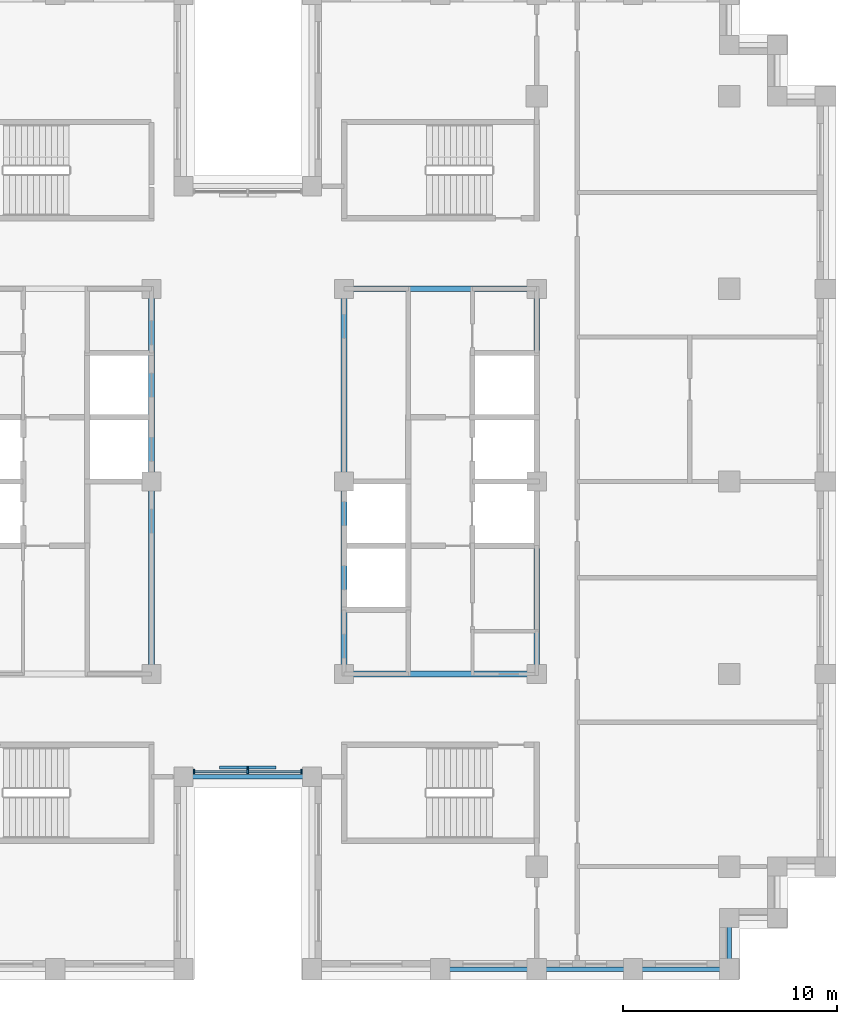
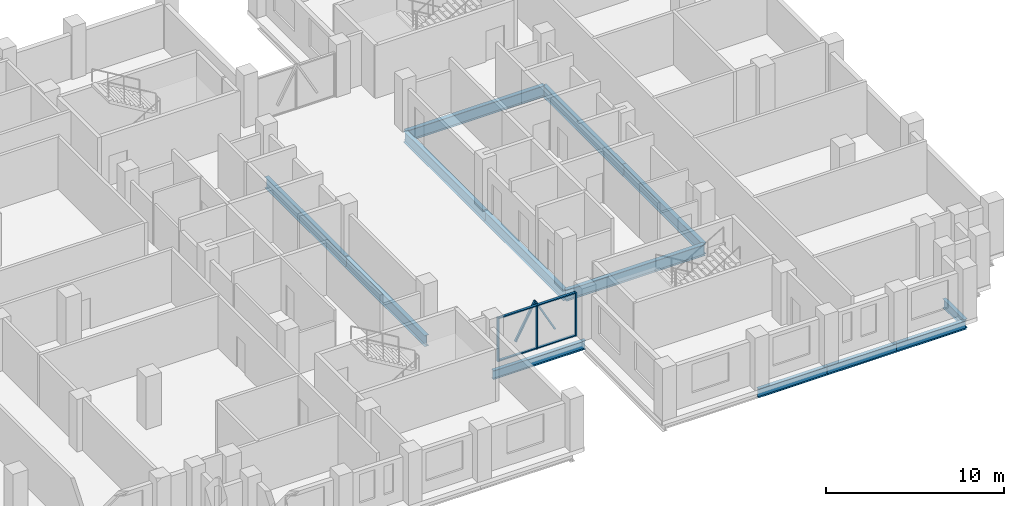
# One storey, part 2 of 15: 13 beams, 9 members, 1 element without a shape of its own.
"""IFC4 building model written with IfcOpenShell, lengths in metres."""

import ifcopenshell
import ifcopenshell.guid

model = None  # the IFC model being written
_history = None  # IfcOwnerHistory: only IFC2X3 demands one
_inside = {}  # id of a spatial element -> (the spatial element, [elements in it])
_under = {}  # id of a project, library or spatial element -> (it, [spatial elements below it])
_declared = {}  # id of a project -> (the project, [libraries it declares])
_typed = {}  # id of a type object -> (the type object, [elements of that type])
_made_of = {}  # id of a material, layer set ... -> (it, [elements and type objects made of it])


def new_model(schema):
    """Start an empty IFC model of exactly this schema.

    Asked for "IFC4X3", IfcOpenShell would pick the latest addendum, in which some entities
    have other attributes; the version numbers below select the first issue.
    IFC2X3 requires an IfcOwnerHistory on every rooted entity: one is made here for all.
    """
    global model, _history
    if schema == "IFC4X3":
        model = ifcopenshell.file(schema_version=(4, 3, 0, 0))
    else:
        model = ifcopenshell.file(schema=schema)
    _inside.clear()
    _under.clear()
    _declared.clear()
    _typed.clear()
    _made_of.clear()
    _history = None
    if model.schema == "IFC2X3":
        org = make("IfcOrganization", Name="unknown")
        user = make(
            "IfcPersonAndOrganization",
            ThePerson=make("IfcPerson", FamilyName="unknown"),
            TheOrganization=org,
        )
        app = make(
            "IfcApplication",
            ApplicationDeveloper=org,
            Version="unknown",
            ApplicationFullName="unknown",
            ApplicationIdentifier="unknown",
        )
        _history = make(
            "IfcOwnerHistory",
            OwningUser=user,
            OwningApplication=app,
            ChangeAction="ADDED",
            CreationDate=0,
        )
    return model


def make(cls, **values):
    """One entity of the class cls with the attributes given. An attribute that is None is left unset."""
    return model.create_entity(
        cls, **{name: value for name, value in values.items() if value is not None}
    )


def rooted(cls, **values):
    """An entity with a GlobalId (a new one), such as an element, a storey or a relation."""
    return make(cls, GlobalId=ifcopenshell.guid.new(), OwnerHistory=_history, **values)


def si_unit(unit_type, name, prefix=None):
    """IfcSIUnit, for example si_unit("LENGTHUNIT", "METRE", prefix="MILLI")."""
    return make("IfcSIUnit", UnitType=unit_type, Prefix=prefix, Name=name)


def assignment(units):
    """IfcUnitAssignment: the units of a project."""
    return None if units is None else make("IfcUnitAssignment", Units=units)


def point(xyz):
    """IfcCartesianPoint."""
    return None if xyz is None else make("IfcCartesianPoint", Coordinates=xyz)


def direction(xyz):
    """IfcDirection."""
    return None if xyz is None else make("IfcDirection", DirectionRatios=xyz)


def frame(location, z_axis=None, x_axis=None):
    """IfcAxis2Placement3D, a coordinate frame: its origin and axes. An axis left out is left unset."""
    return make(
        "IfcAxis2Placement3D",
        Location=point(location),
        Axis=direction(z_axis),
        RefDirection=direction(x_axis),
    )


def frame_2d(location, x_axis=None):
    """IfcAxis2Placement2D, a coordinate frame in the plane: its origin and x axis."""
    return make(
        "IfcAxis2Placement2D", Location=point(location), RefDirection=direction(x_axis)
    )


def origin():
    """The frame at (0, 0, 0) with its axes left unset."""
    return frame((0.0, 0.0, 0.0))


def origin_2d():
    """The frame at (0, 0) in the plane with its x axis left unset."""
    return frame_2d((0.0, 0.0))


def place(relative_to, where):
    """IfcLocalPlacement: puts the frame where relative to a parent placement (None: the world)."""
    return make(
        "IfcLocalPlacement", PlacementRelTo=relative_to, RelativePlacement=where
    )


def context(
    kind, dimensions, precision=None, world=None, true_north=None, identifier=None
):
    """IfcGeometricRepresentationContext, for example the 3D "Model" context."""
    return make(
        "IfcGeometricRepresentationContext",
        ContextIdentifier=identifier,
        ContextType=kind,
        CoordinateSpaceDimension=dimensions,
        Precision=precision,
        WorldCoordinateSystem=world,
        TrueNorth=true_north,
    )


def subcontext(parent, identifier, kind, view, scale=None):
    """IfcGeometricRepresentationSubContext, for example "Body" below "Model"."""
    return make(
        "IfcGeometricRepresentationSubContext",
        ContextIdentifier=identifier,
        ContextType=kind,
        ParentContext=parent,
        TargetScale=scale,
        TargetView=view,
    )


def project(units=None, contexts=None):
    """IfcProject with its units and contexts."""
    return rooted(
        "IfcProject",
        Name="project",
        RepresentationContexts=contexts,
        UnitsInContext=assignment(units),
    )


def spatial(cls, under=None, at=None, **own):
    """A site, building, storey or space (cls), placed at a placement, below another one or the project."""
    s = rooted(cls, ObjectPlacement=at, **own)
    if under is not None:
        _under.setdefault(under.id(), (under, []))[1].append(s)
    return s


def profile(cls, at=None, kind="AREA", **sizes):
    """A parametric profile (cls). Its sizes go by their IFC names, for example OverallWidth=200.0."""
    return make(cls, ProfileType=kind, Position=at, **sizes)


def rectangle(**sizes):
    """IfcRectangleProfileDef."""
    return profile("IfcRectangleProfileDef", **sizes)


def i_section(**sizes):
    """IfcIShapeProfileDef."""
    return profile("IfcIShapeProfileDef", **sizes)


def extrude(swept, where, along, depth):
    """IfcExtrudedAreaSolid: the profile swept, set in the frame where, extruded along a direction by depth."""
    return make(
        "IfcExtrudedAreaSolid",
        SweptArea=swept,
        Position=where,
        ExtrudedDirection=direction(along),
        Depth=depth,
    )


def shape(context_of_items, identifier, shape_type, items):
    """IfcShapeRepresentation: the items that make up one representation, for example the "Body"."""
    return make(
        "IfcShapeRepresentation",
        ContextOfItems=context_of_items,
        RepresentationIdentifier=identifier,
        RepresentationType=shape_type,
        Items=items,
    )


def material(Name=None, Category=None):
    """IfcMaterial."""
    return make("IfcMaterial", Name=Name, Category=Category)


def layer(
    of_material, thickness, ventilated=None, Name=None, Category=None, Priority=None
):
    """IfcMaterialLayer: one layer of a wall or slab, of a material (None: an air gap)."""
    return make(
        "IfcMaterialLayer",
        Material=of_material,
        LayerThickness=thickness,
        IsVentilated=ventilated,
        Name=Name,
        Category=Category,
        Priority=Priority,
    )


def layer_set(layers, Name=None):
    """IfcMaterialLayerSet."""
    return make("IfcMaterialLayerSet", MaterialLayers=layers, LayerSetName=Name)


def material_profile(
    of_material, cross_section, Name=None, Category=None, Priority=None
):
    """IfcMaterialProfile: a cross section and its material."""
    return make(
        "IfcMaterialProfile",
        Name=Name,
        Material=of_material,
        Profile=cross_section,
        Priority=Priority,
        Category=Category,
    )


def profile_set(profiles, Name=None, composite=None):
    """IfcMaterialProfileSet."""
    return make(
        "IfcMaterialProfileSet",
        Name=Name,
        MaterialProfiles=profiles,
        CompositeProfile=composite,
    )


def made_of(thing, what):
    """Note that an element or type object is made of a material, layer set ...; save() writes the relation."""
    if what is not None:
        _made_of.setdefault(what.id(), (what, []))[1].append(thing)
    return thing


def type_object(cls, material=None, **own):
    """A type object (cls), such as IfcWallType, which elements share."""
    return made_of(rooted(cls, **own), material)


def element(
    cls,
    number,
    at=None,
    inside=None,
    cuts=None,
    type_object=None,
    material=None,
    context=None,
    identifier="Body",
    shape_type=None,
    held_by="IfcProductDefinitionShape",
    body=None,
    shapes=None,
    **own,
):
    """One element of the class cls, such as IfcWall. Its Tag is "e" and its number.

    at: its placement. inside: the storey or other place that contains it. cuts: it is an
    opening in that element (IfcRelVoidsElement). A single representation is given by context,
    identifier, shape_type and body (its items); several are given by shapes. held_by: the class
    of the entity that holds the representations. save() writes the other relations.
    """
    e = rooted(cls, Tag="e%d" % number, ObjectPlacement=at, **own)
    if body is not None:
        shapes = [shape(context, identifier, shape_type, body)]
    if shapes is not None:
        e.Representation = make(held_by, Representations=shapes)
    if inside is not None:
        _inside.setdefault(inside.id(), (inside, []))[1].append(e)
    if cuts is not None:
        rooted(
            "IfcRelVoidsElement", RelatingBuildingElement=cuts, RelatedOpeningElement=e
        )
    if type_object is not None:
        _typed.setdefault(type_object.id(), (type_object, []))[1].append(e)
    return made_of(e, material)


def aggregate(whole, parts):
    """IfcRelAggregates: a whole, such as a stair, and the parts it consists of."""
    return rooted("IfcRelAggregates", RelatingObject=whole, RelatedObjects=parts)


def save(model, path):
    """Write the relations noted so far, then the file.

    IfcRelAggregates (storeys below a building ...), IfcRelContainedInSpatialStructure (elements
    in a storey), IfcRelDefinesByType, IfcRelAssociatesMaterial and IfcRelDeclares: one each for
    every whole, place, type object, material and project.
    """
    for whole, parts in _under.values():
        aggregate(whole, parts)
    for where, things in _inside.values():
        rooted(
            "IfcRelContainedInSpatialStructure",
            RelatedElements=things,
            RelatingStructure=where,
        )
    for kind, things in _typed.values():
        rooted("IfcRelDefinesByType", RelatedObjects=things, RelatingType=kind)
    for what, things in _made_of.values():
        rooted("IfcRelAssociatesMaterial", RelatedObjects=things, RelatingMaterial=what)
    for by, libraries in _declared.values():
        rooted("IfcRelDeclares", RelatingContext=by, RelatedDefinitions=libraries)
    model.write(path)


model = new_model("IFC4")

# Units and contexts
model_context = context("Model", 3, precision=1e-05, world=origin(), true_north=direction((0.0, 1.0)))
body_context = subcontext(model_context, "Body", "Model", "MODEL_VIEW")
ifc_project = project(units=[si_unit("LENGTHUNIT", "METRE"), si_unit("AREAUNIT", "SQUARE_METRE"), si_unit("VOLUMEUNIT", "CUBIC_METRE"), si_unit("PLANEANGLEUNIT", "RADIAN"), si_unit("MASSUNIT", "GRAM", prefix="KILO")], contexts=[model_context])

# Site, building, storey
site_placement = place(None, origin())
site = spatial("IfcSite", under=ifc_project, at=site_placement, CompositionType="ELEMENT")
building_placement = place(site_placement, origin())
building = spatial("IfcBuilding", under=site, at=building_placement, Name="Corbelhall Arena Tower", CompositionType="ELEMENT")
storey_placement = place(building_placement, frame((0.0, 0.0, 232.0)))
storey = spatial("IfcBuildingStorey", under=building, at=storey_placement, Name="L49", CompositionType="ELEMENT", Elevation=232.0)

# Curtain wall, members
ifc_material_1 = material(Name="Aluminium black anodised", Category="aluminium")
ifc_layer = layer(ifc_material_1, 0.199951171875)
ifc_layer_set = layer_set([ifc_layer], Name="EV-CW1 Slot back wall")
curtain_wall_type = type_object("IfcCurtainWallType", Name="EV-CW1 Slot back wall", PredefinedType="NOTDEFINED", material=ifc_layer_set)
curtain_wall_placement = place(storey_placement, origin())
curtain_wall = element("IfcCurtainWall", 1, at=curtain_wall_placement, inside=storey, type_object=curtain_wall_type, Name="Curtain wall CW1", PredefinedType="NOTDEFINED")
ifc_material_profile_1 = material_profile(ifc_material_1, rectangle(XDim=0.199951171875, YDim=0.074951171875, at=origin_2d()))
ifc_profile_set_1 = profile_set([ifc_material_profile_1], Name="Aluminium black anodised")
member_type_1 = type_object("IfcMemberType", Name="EV-CW1-MULLION", PredefinedType="MULLION", material=ifc_profile_set_1)
member_1_placement = place(storey_placement, frame((-2.512451171875, -13.550048828125, 0.0), z_axis=(0.0, 0.0, 1.0), x_axis=(0.0, 1.0, 0.0)))
member_1 = element("IfcMember", 2, at=member_1_placement, type_object=member_type_1, Name="CW1 mullion 1", PredefinedType="MULLION", context=body_context, shape_type="SweptSolid", body=[
    extrude(rectangle(XDim=0.199951171875, YDim=0.074951171875, at=origin_2d()), origin(), (0.0, 0.0, 1.0), 2.99951171875),
])
member_2_placement = place(storey_placement, frame((0.0, -13.550048828125, 0.0), z_axis=(0.0, 0.0, 1.0), x_axis=(0.0, 1.0, 0.0)))
member_2 = element("IfcMember", 3, at=member_2_placement, type_object=member_type_1, Name="CW1 mullion 2", PredefinedType="MULLION", context=body_context, shape_type="SweptSolid", body=[
    extrude(rectangle(XDim=0.199951171875, YDim=0.074951171875, at=origin_2d()), origin(), (0.0, 0.0, 1.0), 2.99951171875),
])
member_3_placement = place(storey_placement, frame((2.512451171875, -13.550048828125, 0.0), z_axis=(0.0, 0.0, 1.0), x_axis=(0.0, 1.0, 0.0)))
member_3 = element("IfcMember", 4, at=member_3_placement, type_object=member_type_1, Name="CW1 mullion 3", PredefinedType="MULLION", context=body_context, shape_type="SweptSolid", body=[
    extrude(rectangle(XDim=0.199951171875, YDim=0.074951171875, at=origin_2d()), origin(), (0.0, 0.0, 1.0), 2.99951171875),
])
ifc_material_profile_2 = material_profile(ifc_material_1, rectangle(XDim=0.14990234375, YDim=0.074951171875, at=origin_2d()))
ifc_profile_set_2 = profile_set([ifc_material_profile_2], Name="Aluminium black anodised")
member_type_2 = type_object("IfcMemberType", Name="EV-CW1-TRANSOM", PredefinedType="USERDEFINED", material=ifc_profile_set_2)
member_4_placement = place(storey_placement, frame((-2.47509765625, -13.550048828125, 0.03759765625), z_axis=(1.0, 0.0, 0.0), x_axis=(0.0, 1.0, 0.0)))
member_4 = element("IfcMember", 5, at=member_4_placement, type_object=member_type_2, Name="CW1 transom 1.1", ObjectType="transom", PredefinedType="USERDEFINED", context=body_context, shape_type="SweptSolid", body=[
    extrude(rectangle(XDim=0.14990234375, YDim=0.074951171875, at=origin_2d()), origin(), (0.0, 0.0, 1.0), 2.4375),
])
member_5_placement = place(storey_placement, frame((-2.47509765625, -13.550048828125, 2.962158203125), z_axis=(1.0, 0.0, 0.0), x_axis=(0.0, 1.0, 0.0)))
member_5 = element("IfcMember", 6, at=member_5_placement, type_object=member_type_2, Name="CW1 transom 1.2", ObjectType="transom", PredefinedType="USERDEFINED", context=body_context, shape_type="SweptSolid", body=[
    extrude(rectangle(XDim=0.14990234375, YDim=0.074951171875, at=origin_2d()), origin(), (0.0, 0.0, 1.0), 2.4375),
])
member_6_placement = place(storey_placement, frame((0.03759765625, -13.550048828125, 0.03759765625), z_axis=(1.0, 0.0, 0.0), x_axis=(0.0, 1.0, 0.0)))
member_6 = element("IfcMember", 7, at=member_6_placement, type_object=member_type_2, Name="CW1 transom 2.1", ObjectType="transom", PredefinedType="USERDEFINED", context=body_context, shape_type="SweptSolid", body=[
    extrude(rectangle(XDim=0.14990234375, YDim=0.074951171875, at=origin_2d()), origin(), (0.0, 0.0, 1.0), 2.4375),
])
member_7_placement = place(storey_placement, frame((0.03759765625, -13.550048828125, 2.962158203125), z_axis=(1.0, 0.0, 0.0), x_axis=(0.0, 1.0, 0.0)))
member_7 = element("IfcMember", 8, at=member_7_placement, type_object=member_type_2, Name="CW1 transom 2.2", ObjectType="transom", PredefinedType="USERDEFINED", context=body_context, shape_type="SweptSolid", body=[
    extrude(rectangle(XDim=0.14990234375, YDim=0.074951171875, at=origin_2d()), origin(), (0.0, 0.0, 1.0), 2.4375),
])
aggregate(curtain_wall, [member_1, member_2, member_3, member_4, member_5, member_6, member_7])

# Members
ifc_material_profile_3 = material_profile(ifc_material_1, rectangle(XDim=0.159912109375, YDim=0.10009765625, at=origin_2d()))
ifc_profile_set_3 = profile_set([ifc_material_profile_3], Name="Aluminium black anodised")
member_type_3 = type_object("IfcMemberType", Name="EV-TR1 Tracery bar", PredefinedType="USERDEFINED", material=ifc_profile_set_3)
for number, where, z_axis, x_axis, name in (
    (9, (-1.27490234375, -13.3701171875, 0.807373046875), (0.478030960994, 0.0, 0.878342985588), (0.0, 1.0, 0.0), "Tracery bar"),
    (10, (0.0, -13.3701171875, 3.14990234375), (0.478030960994, 0.0, -0.878342985588), (0.0, 1.0, 0.0), "Tracery bar"),
):
    element("IfcMember", number, at=place(storey_placement, frame(where, z_axis=z_axis, x_axis=x_axis)), inside=storey, type_object=member_type_3, Name=name, ObjectType="TRACERY", PredefinedType="USERDEFINED", context=body_context, shape_type="SweptSolid", body=[
        extrude(rectangle(XDim=0.159912109375, YDim=0.10009765625, at=origin_2d()), origin(), (0.0, 0.0, 1.0), 2.6669921875),
    ])

# Beams
ifc_material_2 = material(Name="Steel ASTM A992 Gr50", Category="steel")
ifc_material_profile_4 = material_profile(ifc_material_2, i_section(OverallWidth=0.2666015625, OverallDepth=0.761962890625, WebThickness=0.014404296875, FlangeThickness=0.021484375, at=origin_2d()))
ifc_profile_set_4 = profile_set([ifc_material_profile_4], Name="Steel ASTM A992 Gr50")
beam_type_1 = type_object("IfcBeamType", Name="ST-BEAM-W30x116", PredefinedType="BEAM", material=ifc_profile_set_4)
for number, where, z_axis, x_axis, name in (
    (11, (-4.5, -9.0, -0.660888671875), (0.0, 1.0, 0.0), (-1.0, 0.0, 0.0), "Beam CEW 3"),
    (12, (-4.5, 0.0, -0.660888671875), (0.0, 1.0, 0.0), (-1.0, 0.0, 0.0), "Beam CEW 4"),
    (13, (4.5, -9.0, -0.660888671875), (0.0, 1.0, 0.0), (-1.0, 0.0, 0.0), "Beam CEE 7"),
    (14, (4.5, 0.0, -0.660888671875), (0.0, 1.0, 0.0), (-1.0, 0.0, 0.0), "Beam CEE 8"),
    (15, (13.5, -9.0, -0.660888671875), (0.0, 1.0, 0.0), (-1.0, 0.0, 0.0), "Beam CEE 9"),
    (16, (13.5, 0.0, -0.660888671875), (0.0, 1.0, 0.0), (-1.0, 0.0, 0.0), "Beam CEE 10"),
    (17, (4.5, -9.0, -0.660888671875), (1.0, 0.0, 0.0), (0.0, 1.0, 0.0), "Beam CEE 11"),
    (18, (4.5, 9.0, -0.660888671875), (1.0, 0.0, 0.0), (0.0, 1.0, 0.0), "Beam CEE 12"),
):
    element("IfcBeam", number, at=place(storey_placement, frame(where, z_axis=z_axis, x_axis=x_axis)), inside=storey, type_object=beam_type_1, Name=name, PredefinedType="BEAM", context=body_context, shape_type="SweptSolid", body=[
        extrude(i_section(OverallWidth=0.2666015625, OverallDepth=0.761962890625, WebThickness=0.014404296875, FlangeThickness=0.021484375, at=origin_2d()), origin(), (0.0, 0.0, 1.0), 9.0),
    ])
ifc_material_profile_5 = material_profile(ifc_material_2, i_section(OverallWidth=0.228271484375, OverallDepth=0.607177734375, WebThickness=0.01123046875, FlangeThickness=0.017333984375, at=origin_2d()))
ifc_profile_set_5 = profile_set([ifc_material_profile_5], Name="Steel ASTM A992 Gr50")
beam_type_2 = type_object("IfcBeamType", Name="ST-SPANDREL-W24x76", PredefinedType="SPANDREL", material=ifc_profile_set_5)
for number, where, z_axis, x_axis, name in (
    (19, (13.5, -22.800048828125, -0.58349609375), (-1.0, 0.0, 0.0), (0.0, -1.0, 0.0), "Beam SP 25"),
    (20, (18.0, -22.800048828125, -0.58349609375), (-1.0, 0.0, 0.0), (0.0, -1.0, 0.0), "Beam SP 26"),
    (21, (22.5, -22.800048828125, -0.58349609375), (-1.0, 0.0, 0.0), (0.0, -1.0, 0.0), "Beam SP 27"),
):
    element("IfcBeam", number, at=place(storey_placement, frame(where, z_axis=z_axis, x_axis=x_axis)), inside=storey, type_object=beam_type_2, Name=name, PredefinedType="SPANDREL", context=body_context, shape_type="SweptSolid", body=[
        extrude(i_section(OverallWidth=0.228271484375, OverallDepth=0.607177734375, WebThickness=0.01123046875, FlangeThickness=0.017333984375, at=origin_2d()), origin(), (0.0, 0.0, 1.0), 4.5),
    ])
beam_1_placement = place(storey_placement, frame((3.0, -13.800048828125, -0.58349609375), z_axis=(-1.0, 0.0, 0.0), x_axis=(0.0, -1.0, 0.0)))
element("IfcBeam", 22, at=beam_1_placement, inside=storey, type_object=beam_type_2, Name="Beam SP 37", PredefinedType="SPANDREL", context=body_context, shape_type="SweptSolid", body=[
    extrude(i_section(OverallWidth=0.228271484375, OverallDepth=0.607177734375, WebThickness=0.01123046875, FlangeThickness=0.017333984375, at=origin_2d()), origin(), (0.0, 0.0, 1.0), 6.0),
])
beam_2_placement = place(storey_placement, frame((22.5, -20.39990234375, -0.58349609375), z_axis=(0.0, -1.0, 0.0), x_axis=(1.0, 0.0, 0.0)))
element("IfcBeam", 23, at=beam_2_placement, inside=storey, type_object=beam_type_2, Name="Beam SP 45", PredefinedType="SPANDREL", context=body_context, shape_type="SweptSolid", body=[
    extrude(i_section(OverallWidth=0.228271484375, OverallDepth=0.607177734375, WebThickness=0.01123046875, FlangeThickness=0.017333984375, at=origin_2d()), origin(), (0.0, 0.0, 1.0), 2.400146484375),
])

save(model, "model.ifc")
